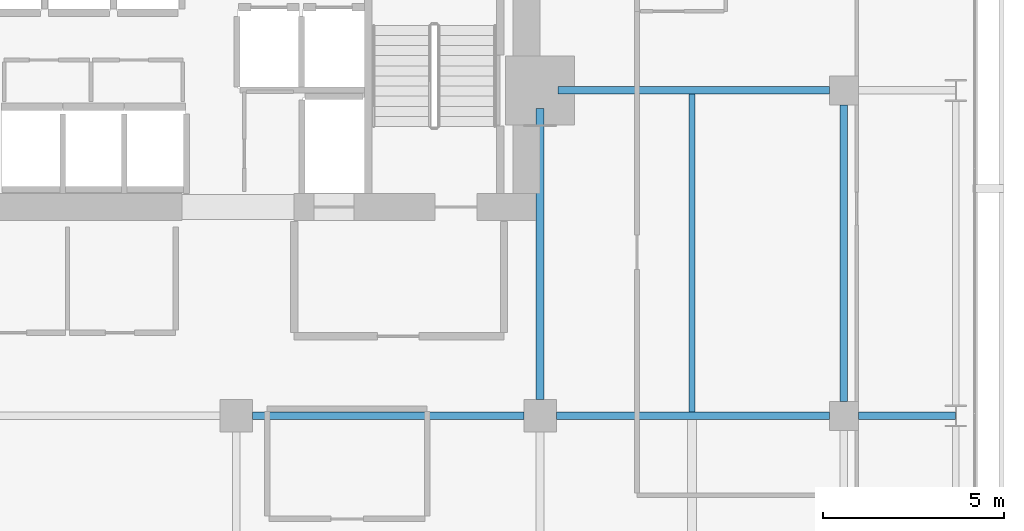
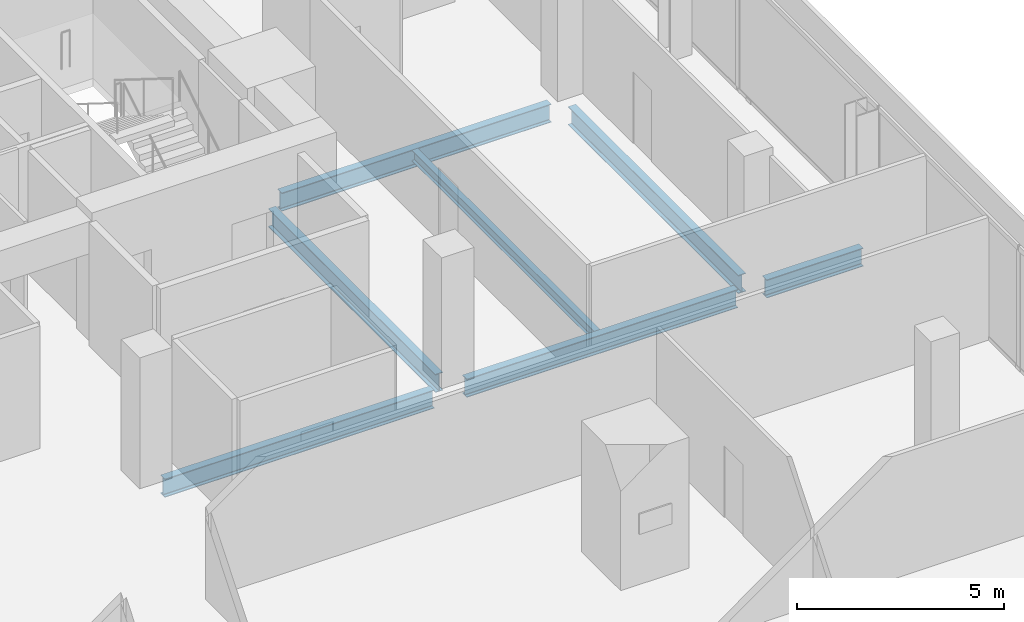
# One storey, part 23 of 33: 7 beams.
"""IFC4 building model written with IfcOpenShell, lengths in metres."""

from ifc_helpers import new_model, si_unit, direction, frame, origin, origin_2d, place, context, subcontext, project, spatial, i_section, extrude, material, material_profile, profile_set, type_object, element, save


model = new_model("IFC4")

# Units and contexts
model_context = context("Model", 3, precision=1e-05, world=origin(), true_north=direction((0.0, 1.0)))
body_context = subcontext(model_context, "Body", "Model", "MODEL_VIEW")
ifc_project = project(units=[si_unit("LENGTHUNIT", "METRE"), si_unit("AREAUNIT", "SQUARE_METRE"), si_unit("VOLUMEUNIT", "CUBIC_METRE"), si_unit("PLANEANGLEUNIT", "RADIAN"), si_unit("MASSUNIT", "GRAM", prefix="KILO")], contexts=[model_context])

# Site, building, storey
site_placement = place(None, origin())
site = spatial("IfcSite", under=ifc_project, at=site_placement, CompositionType="ELEMENT")
building_placement = place(site_placement, origin())
building = spatial("IfcBuilding", under=site, at=building_placement, Name="Maruvema Waterfront Hotel and Observation Tower", CompositionType="ELEMENT")
storey_placement = place(building_placement, frame((0.0, 0.0, 204.39990234375)))
storey = spatial("IfcBuildingStorey", under=building, at=storey_placement, Name="L50", CompositionType="ELEMENT", Elevation=204.39990234375)

# Beams
ifc_material_1 = material(Name="Steel ASTM A572 Grade 50", Category="steel")
ifc_material_profile_1 = material_profile(ifc_material_1, i_section(OverallWidth=0.2109375, OverallDepth=0.5390625, WebThickness=0.01171875, FlangeThickness=0.018798828125, FilletRadius=0.014892578125, at=origin_2d()), Name="W530x109.0")
ifc_profile_set_1 = profile_set([ifc_material_profile_1], Name="Steel ASTM A572 Grade 50")
beam_type_1 = type_object("IfcBeamType", Name="Primary Floor Girder W530x109.0", PredefinedType="BEAM", material=ifc_profile_set_1)
beam_1_placement = place(storey_placement, frame((42.449951171875, 36.0, -0.509521484375), z_axis=(1.0, 0.0, 0.0), x_axis=(0.0, 1.0, 0.0)))
element("IfcBeam", 1, at=beam_1_placement, inside=storey, type_object=beam_type_1, Name="L50 Floor Girder EW-27", PredefinedType="BEAM", context=body_context, shape_type="SweptSolid", body=[
    extrude(i_section(OverallWidth=0.2109375, OverallDepth=0.5390625, WebThickness=0.01171875, FlangeThickness=0.018798828125, FilletRadius=0.014892578125, at=origin_2d()), origin(), (0.0, 0.0, 1.0), 7.5),
])
beam_2_placement = place(storey_placement, frame((50.85009765625, 36.0, -0.509521484375), z_axis=(1.0, 0.0, 0.0), x_axis=(0.0, 1.0, 0.0)))
element("IfcBeam", 2, at=beam_2_placement, inside=storey, type_object=beam_type_1, Name="L50 Floor Girder EW-28", PredefinedType="BEAM", context=body_context, shape_type="SweptSolid", body=[
    extrude(i_section(OverallWidth=0.2109375, OverallDepth=0.5390625, WebThickness=0.01171875, FlangeThickness=0.018798828125, FilletRadius=0.014892578125, at=origin_2d()), origin(), (0.0, 0.0, 1.0), 7.5498046875),
])
beam_3_placement = place(storey_placement, frame((59.199951171875, 36.0, -0.509521484375), z_axis=(1.0, 0.0, 0.0), x_axis=(0.0, 1.0, 0.0)))
element("IfcBeam", 3, at=beam_3_placement, inside=storey, type_object=beam_type_1, Name="L50 Floor Girder EW-29", PredefinedType="BEAM", context=body_context, shape_type="SweptSolid", body=[
    extrude(i_section(OverallWidth=0.2109375, OverallDepth=0.5390625, WebThickness=0.01171875, FlangeThickness=0.018798828125, FilletRadius=0.014892578125, at=origin_2d()), origin(), (0.0, 0.0, 1.0), 2.6875),
])
beam_4_placement = place(storey_placement, frame((50.89990234375, 45.0, -0.509521484375), z_axis=(1.0, 0.0, 0.0), x_axis=(0.0, 1.0, 0.0)))
element("IfcBeam", 4, at=beam_4_placement, inside=storey, type_object=beam_type_1, Name="L50 Floor Girder EW-32", PredefinedType="BEAM", context=body_context, shape_type="SweptSolid", body=[
    extrude(i_section(OverallWidth=0.2109375, OverallDepth=0.5390625, WebThickness=0.01171875, FlangeThickness=0.018798828125, FilletRadius=0.014892578125, at=origin_2d()), origin(), (0.0, 0.0, 1.0), 7.5),
])
beam_5_placement = place(storey_placement, frame((50.39990234375, 36.449951171875, -0.509521484375), z_axis=(0.0, 1.0, 0.0), x_axis=(-1.0, 0.0, 0.0)))
element("IfcBeam", 5, at=beam_5_placement, inside=storey, type_object=beam_type_1, Name="L50 Floor Girder NS-24", PredefinedType="BEAM", context=body_context, shape_type="SweptSolid", body=[
    extrude(i_section(OverallWidth=0.2109375, OverallDepth=0.5390625, WebThickness=0.01171875, FlangeThickness=0.018798828125, FilletRadius=0.014892578125, at=origin_2d()), origin(), (0.0, 0.0, 1.0), 8.050048828125),
])
beam_6_placement = place(storey_placement, frame((58.800048828125, 36.39990234375, -0.509521484375), z_axis=(0.0, 1.0, 0.0), x_axis=(-1.0, 0.0, 0.0)))
element("IfcBeam", 6, at=beam_6_placement, inside=storey, type_object=beam_type_1, Name="L50 Floor Girder NS-28", PredefinedType="BEAM", context=body_context, shape_type="SweptSolid", body=[
    extrude(i_section(OverallWidth=0.2109375, OverallDepth=0.5390625, WebThickness=0.01171875, FlangeThickness=0.018798828125, FilletRadius=0.014892578125, at=origin_2d()), origin(), (0.0, 0.0, 1.0), 8.2001953125),
])
ifc_material_2 = material(Name="Steel ASTM A572 Grade 50", Category="steel")
ifc_material_profile_2 = material_profile(ifc_material_2, i_section(OverallWidth=0.1669921875, OverallDepth=0.31689453125, WebThickness=0.007568359375, FlangeThickness=0.01318359375, FilletRadius=0.012939453125, at=origin_2d()), Name="W310x52.0")
ifc_profile_set_2 = profile_set([ifc_material_profile_2], Name="Steel ASTM A572 Grade 50")
beam_type_2 = type_object("IfcBeamType", Name="Secondary Floor Joist W310x52.0", PredefinedType="JOIST", material=ifc_profile_set_2)
beam_7_placement = place(storey_placement, frame((54.60009765625, 36.10546875, -0.3984375), z_axis=(0.0, 1.0, 0.0), x_axis=(-1.0, 0.0, 0.0)))
element("IfcBeam", 7, at=beam_7_placement, inside=storey, type_object=beam_type_2, Name="L50 Secondary Floor Joist JS-14", PredefinedType="JOIST", context=body_context, shape_type="SweptSolid", body=[
    extrude(i_section(OverallWidth=0.1669921875, OverallDepth=0.31689453125, WebThickness=0.007568359375, FlangeThickness=0.01318359375, FilletRadius=0.012939453125, at=origin_2d()), origin(), (0.0, 0.0, 1.0), 8.7890625),
])

save(model, "model.ifc")
